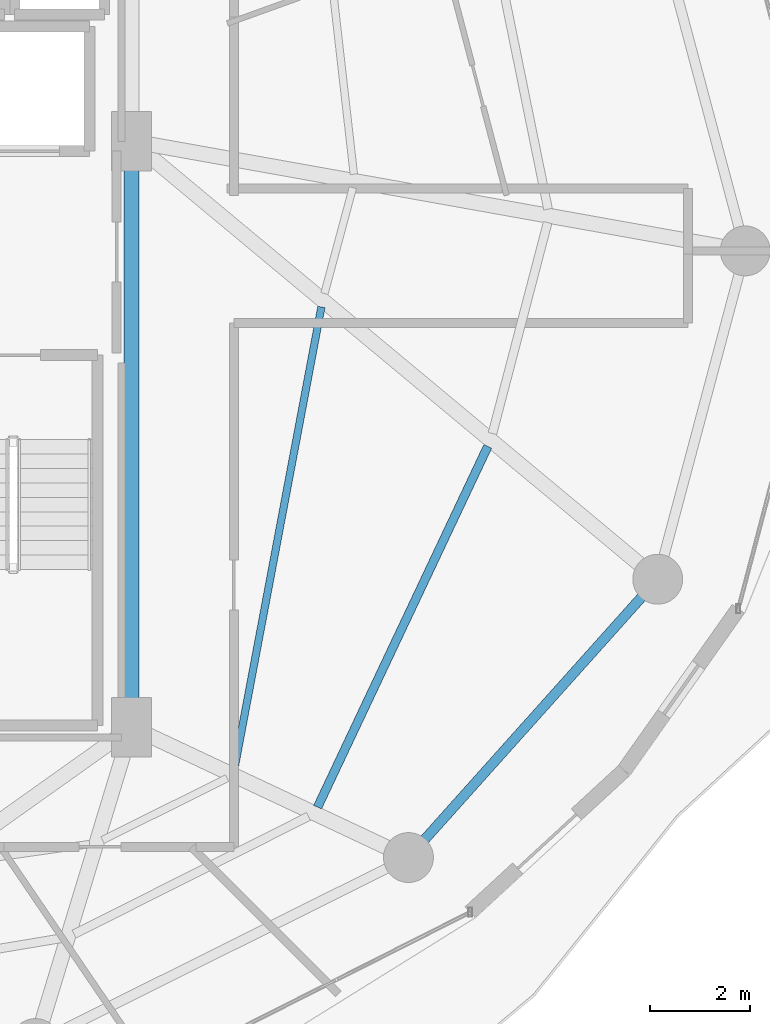
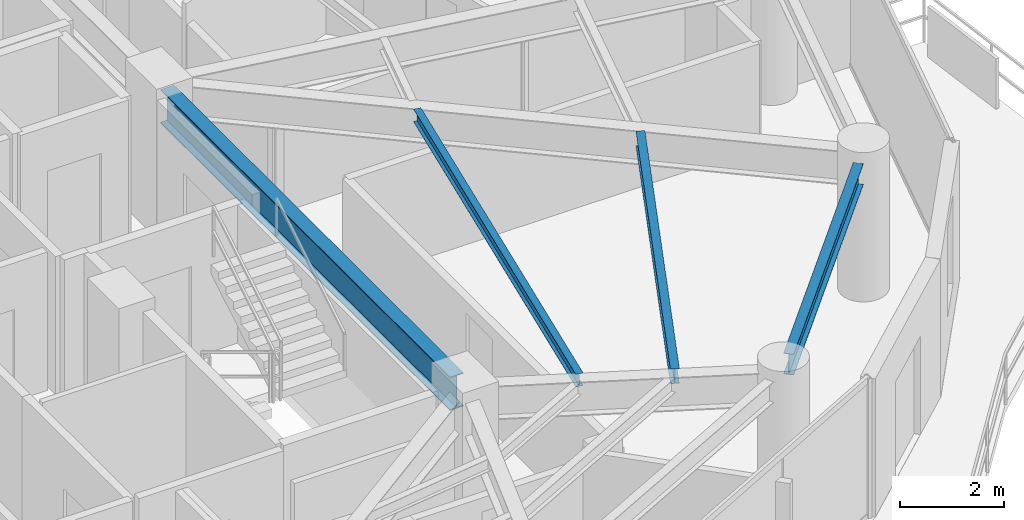
# One storey, part 13 of 31: 4 beams.
"""IFC4 building model written with IfcOpenShell, lengths in metres."""

from ifc_helpers import new_model, si_unit, direction, frame, origin, origin_2d, place, context, subcontext, project, spatial, i_section, extrude, material, material_profile, profile_set, type_object, element, save


model = new_model("IFC4")

# Units and contexts
model_context = context("Model", 3, precision=1e-05, world=origin(), true_north=direction((0.0, 1.0)))
body_context = subcontext(model_context, "Body", "Model", "MODEL_VIEW")
ifc_project = project(units=[si_unit("LENGTHUNIT", "METRE"), si_unit("AREAUNIT", "SQUARE_METRE"), si_unit("VOLUMEUNIT", "CUBIC_METRE"), si_unit("PLANEANGLEUNIT", "RADIAN"), si_unit("MASSUNIT", "GRAM", prefix="KILO")], contexts=[model_context])

# Site, building, storey
site_placement = place(None, origin())
site = spatial("IfcSite", under=ifc_project, at=site_placement, CompositionType="ELEMENT")
building_placement = place(site_placement, origin())
building = spatial("IfcBuilding", under=site, at=building_placement, Name="Vorneva Point Tower", CompositionType="ELEMENT")
storey_placement = place(building_placement, frame((0.0, 0.0, 132.60009765625)))
storey = spatial("IfcBuildingStorey", under=building, at=storey_placement, Name="L35", CompositionType="ELEMENT", Elevation=132.60009765625)

# Beams
ifc_material = material(Name="Steel S355", Category="steel")
ifc_material_profile_1 = material_profile(ifc_material, i_section(OverallWidth=0.300048828125, OverallDepth=0.7880859375, WebThickness=0.014404296875, FlangeThickness=0.02197265625, at=origin_2d()), Name="80Sh1")
ifc_profile_set_1 = profile_set([ifc_material_profile_1], Name="Steel S355")
beam_type_1 = type_object("IfcBeamType", Name="BM-GRD-80Sh1", PredefinedType="USERDEFINED", material=ifc_profile_set_1)
beam_1_placement = place(storey_placement, frame((48.75, 16.77001953125, 2.845947265625), z_axis=(0.0, 1.0, 0.0), x_axis=(-1.0, 0.0, 0.0)))
element("IfcBeam", 1, at=beam_1_placement, inside=storey, type_object=beam_type_1, Name="L35 Core Tie Girder CT3", ObjectType="GIRDER", PredefinedType="USERDEFINED", context=body_context, shape_type="SweptSolid", body=[
    extrude(i_section(OverallWidth=0.300048828125, OverallDepth=0.7880859375, WebThickness=0.014404296875, FlangeThickness=0.02197265625, at=origin_2d()), origin(), (0.0, 0.0, 1.0), 11.10986328125),
])
ifc_material_profile_2 = material_profile(ifc_material, i_section(OverallWidth=0.14892578125, OverallDepth=0.298095703125, WebThickness=0.005615234375, FlangeThickness=0.008056640625, at=origin_2d()), Name="30B1")
ifc_profile_set_2 = profile_set([ifc_material_profile_2], Name="Steel S355")
beam_type_2 = type_object("IfcBeamType", Name="BM-JST-30B1", PredefinedType="JOIST", material=ifc_profile_set_2)
beam_2_placement = place(storey_placement, frame((50.81103515625, 15.62744140625, 3.0908203125), z_axis=(0.185093544859, 0.982720906286, 0.0), x_axis=(-0.982720906286, 0.185093544859, 0.0)))
element("IfcBeam", 2, at=beam_2_placement, inside=storey, type_object=beam_type_2, Name="L35 Secondary Floor Beam 2.15", PredefinedType="JOIST", context=body_context, shape_type="SweptSolid", body=[
    extrude(i_section(OverallWidth=0.14892578125, OverallDepth=0.298095703125, WebThickness=0.005615234375, FlangeThickness=0.008056640625, at=origin_2d()), origin(), (0.0, 0.0, 1.0), 9.4111328125),
])
ifc_material_profile_3 = material_profile(ifc_material, i_section(OverallWidth=0.174072265625, OverallDepth=0.345947265625, WebThickness=0.006103515625, FlangeThickness=0.009033203125, at=origin_2d()), Name="35B1")
ifc_profile_set_3 = profile_set([ifc_material_profile_3], Name="Steel S355")
beam_type_3 = type_object("IfcBeamType", Name="BM-SEC-35B1", PredefinedType="BEAM", material=ifc_profile_set_3)
beam_3_placement = place(storey_placement, frame((52.476318359375, 14.848388671875, 3.06689453125), z_axis=(0.426717146128, 0.904385137649, 0.0), x_axis=(-0.904385137649, 0.426717146128, 0.0)))
element("IfcBeam", 3, at=beam_3_placement, inside=storey, type_object=beam_type_3, Name="L35 Secondary Floor Beam 1.15", PredefinedType="BEAM", context=body_context, shape_type="SweptSolid", body=[
    extrude(i_section(OverallWidth=0.174072265625, OverallDepth=0.345947265625, WebThickness=0.006103515625, FlangeThickness=0.009033203125, at=origin_2d()), origin(), (0.0, 0.0, 1.0), 7.997314453125),
])
ifc_material_profile_4 = material_profile(ifc_material, i_section(OverallWidth=0.199951171875, OverallDepth=0.491943359375, WebThickness=0.0087890625, FlangeThickness=0.011962890625, at=origin_2d()), Name="50B1")
ifc_profile_set_4 = profile_set([ifc_material_profile_4], Name="Steel S355")
beam_type_4 = type_object("IfcBeamType", Name="BM-SPN-50B1", PredefinedType="SPANDREL", material=ifc_profile_set_4)
beam_4_placement = place(storey_placement, frame((54.622314453125, 14.19921875, 2.993896484375), z_axis=(0.667111118975, 0.74495822362, 0.0), x_axis=(-0.74495822362, 0.667111118975, 0.0)))
element("IfcBeam", 4, at=beam_4_placement, inside=storey, type_object=beam_type_4, Name="L35 Perimeter Spandrel Ring Beam 15", PredefinedType="SPANDREL", context=body_context, shape_type="SweptSolid", body=[
    extrude(i_section(OverallWidth=0.199951171875, OverallDepth=0.491943359375, WebThickness=0.0087890625, FlangeThickness=0.011962890625, at=origin_2d()), origin(), (0.0, 0.0, 1.0), 6.52001953125),
])

save(model, "model.ifc")
